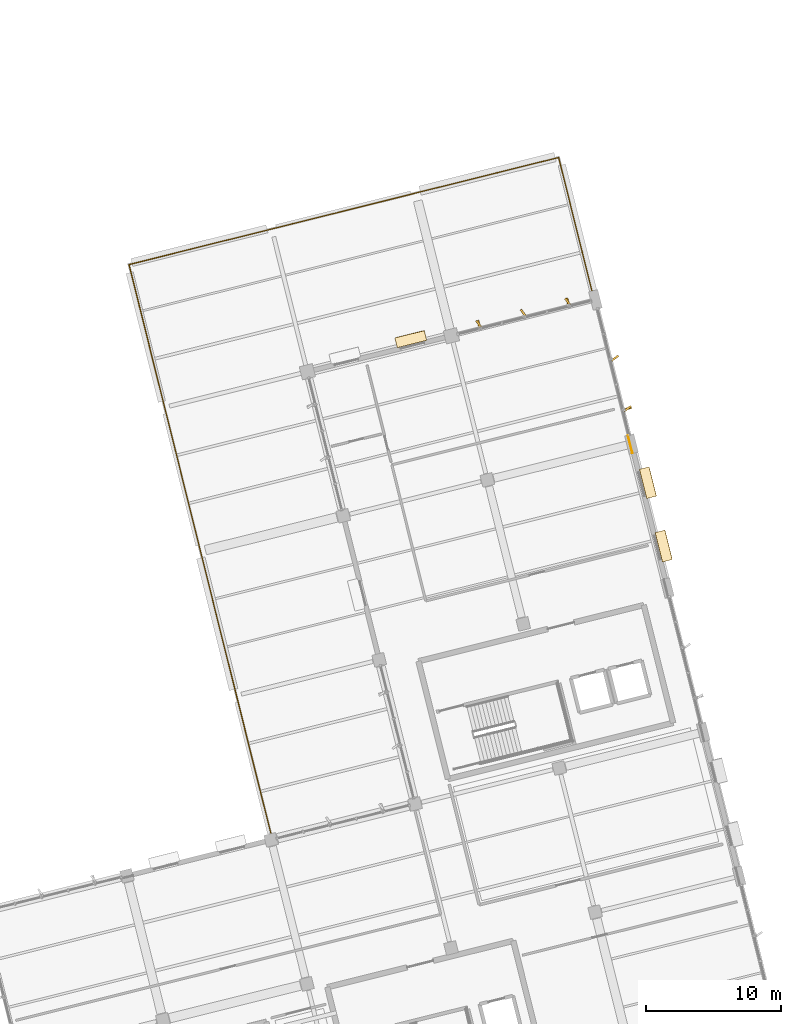
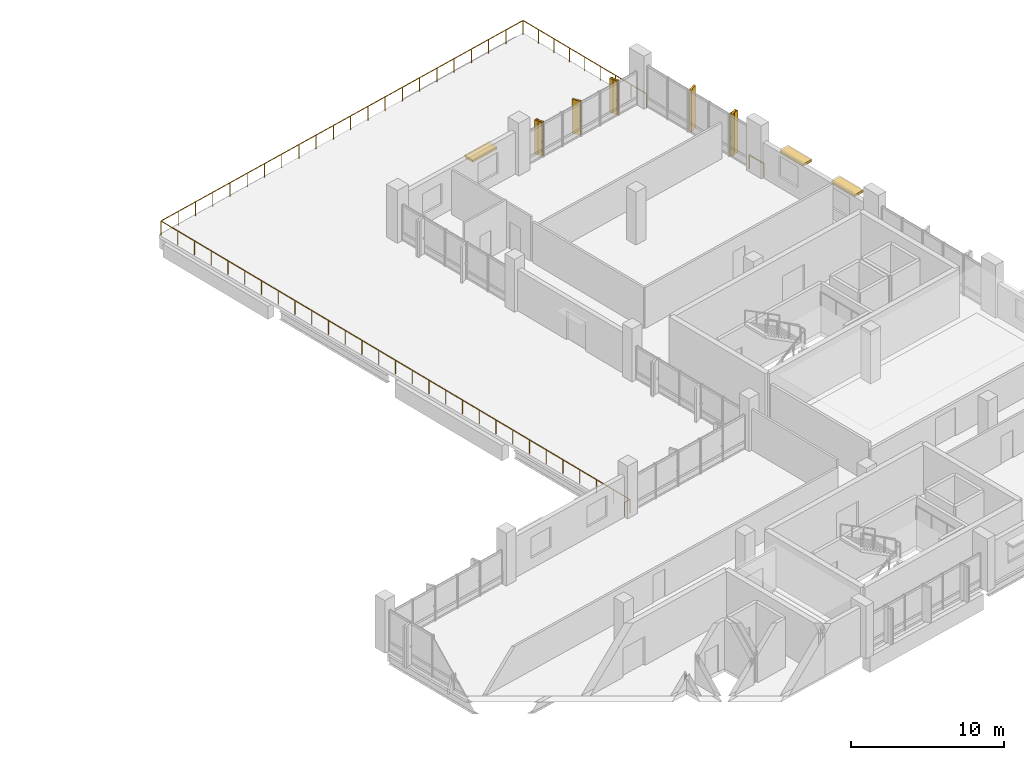
# One storey, part 42 of 42: 8 shading devices, 6 coverings, 2 railings.
"""IFC4 building model written with IfcOpenShell, lengths in metres."""

import ifcopenshell
import ifcopenshell.guid

model = None  # the IFC model being written
_history = None  # IfcOwnerHistory: only IFC2X3 demands one
_inside = {}  # id of a spatial element -> (the spatial element, [elements in it])
_under = {}  # id of a project, library or spatial element -> (it, [spatial elements below it])
_declared = {}  # id of a project -> (the project, [libraries it declares])
_typed = {}  # id of a type object -> (the type object, [elements of that type])
_made_of = {}  # id of a material, layer set ... -> (it, [elements and type objects made of it])


def new_model(schema):
    """Start an empty IFC model of exactly this schema.

    Asked for "IFC4X3", IfcOpenShell would pick the latest addendum, in which some entities
    have other attributes; the version numbers below select the first issue.
    IFC2X3 requires an IfcOwnerHistory on every rooted entity: one is made here for all.
    """
    global model, _history
    if schema == "IFC4X3":
        model = ifcopenshell.file(schema_version=(4, 3, 0, 0))
    else:
        model = ifcopenshell.file(schema=schema)
    _inside.clear()
    _under.clear()
    _declared.clear()
    _typed.clear()
    _made_of.clear()
    _history = None
    if model.schema == "IFC2X3":
        org = make("IfcOrganization", Name="unknown")
        user = make(
            "IfcPersonAndOrganization",
            ThePerson=make("IfcPerson", FamilyName="unknown"),
            TheOrganization=org,
        )
        app = make(
            "IfcApplication",
            ApplicationDeveloper=org,
            Version="unknown",
            ApplicationFullName="unknown",
            ApplicationIdentifier="unknown",
        )
        _history = make(
            "IfcOwnerHistory",
            OwningUser=user,
            OwningApplication=app,
            ChangeAction="ADDED",
            CreationDate=0,
        )
    return model


def make(cls, **values):
    """One entity of the class cls with the attributes given. An attribute that is None is left unset."""
    return model.create_entity(
        cls, **{name: value for name, value in values.items() if value is not None}
    )


def rooted(cls, **values):
    """An entity with a GlobalId (a new one), such as an element, a storey or a relation."""
    return make(cls, GlobalId=ifcopenshell.guid.new(), OwnerHistory=_history, **values)


def si_unit(unit_type, name, prefix=None):
    """IfcSIUnit, for example si_unit("LENGTHUNIT", "METRE", prefix="MILLI")."""
    return make("IfcSIUnit", UnitType=unit_type, Prefix=prefix, Name=name)


def assignment(units):
    """IfcUnitAssignment: the units of a project."""
    return None if units is None else make("IfcUnitAssignment", Units=units)


def point(xyz):
    """IfcCartesianPoint."""
    return None if xyz is None else make("IfcCartesianPoint", Coordinates=xyz)


def direction(xyz):
    """IfcDirection."""
    return None if xyz is None else make("IfcDirection", DirectionRatios=xyz)


def frame(location, z_axis=None, x_axis=None):
    """IfcAxis2Placement3D, a coordinate frame: its origin and axes. An axis left out is left unset."""
    return make(
        "IfcAxis2Placement3D",
        Location=point(location),
        Axis=direction(z_axis),
        RefDirection=direction(x_axis),
    )


def frame_2d(location, x_axis=None):
    """IfcAxis2Placement2D, a coordinate frame in the plane: its origin and x axis."""
    return make(
        "IfcAxis2Placement2D", Location=point(location), RefDirection=direction(x_axis)
    )


def origin():
    """The frame at (0, 0, 0) with its axes left unset."""
    return frame((0.0, 0.0, 0.0))


def origin_2d():
    """The frame at (0, 0) in the plane with its x axis left unset."""
    return frame_2d((0.0, 0.0))


def place(relative_to, where):
    """IfcLocalPlacement: puts the frame where relative to a parent placement (None: the world)."""
    return make(
        "IfcLocalPlacement", PlacementRelTo=relative_to, RelativePlacement=where
    )


def context(
    kind, dimensions, precision=None, world=None, true_north=None, identifier=None
):
    """IfcGeometricRepresentationContext, for example the 3D "Model" context."""
    return make(
        "IfcGeometricRepresentationContext",
        ContextIdentifier=identifier,
        ContextType=kind,
        CoordinateSpaceDimension=dimensions,
        Precision=precision,
        WorldCoordinateSystem=world,
        TrueNorth=true_north,
    )


def subcontext(parent, identifier, kind, view, scale=None):
    """IfcGeometricRepresentationSubContext, for example "Body" below "Model"."""
    return make(
        "IfcGeometricRepresentationSubContext",
        ContextIdentifier=identifier,
        ContextType=kind,
        ParentContext=parent,
        TargetScale=scale,
        TargetView=view,
    )


def project(units=None, contexts=None):
    """IfcProject with its units and contexts."""
    return rooted(
        "IfcProject",
        Name="project",
        RepresentationContexts=contexts,
        UnitsInContext=assignment(units),
    )


def spatial(cls, under=None, at=None, **own):
    """A site, building, storey or space (cls), placed at a placement, below another one or the project."""
    s = rooted(cls, ObjectPlacement=at, **own)
    if under is not None:
        _under.setdefault(under.id(), (under, []))[1].append(s)
    return s


def profile(cls, at=None, kind="AREA", **sizes):
    """A parametric profile (cls). Its sizes go by their IFC names, for example OverallWidth=200.0."""
    return make(cls, ProfileType=kind, Position=at, **sizes)


def rectangle(**sizes):
    """IfcRectangleProfileDef."""
    return profile("IfcRectangleProfileDef", **sizes)


def extrude(swept, where, along, depth):
    """IfcExtrudedAreaSolid: the profile swept, set in the frame where, extruded along a direction by depth."""
    return make(
        "IfcExtrudedAreaSolid",
        SweptArea=swept,
        Position=where,
        ExtrudedDirection=direction(along),
        Depth=depth,
    )


def shape(context_of_items, identifier, shape_type, items):
    """IfcShapeRepresentation: the items that make up one representation, for example the "Body"."""
    return make(
        "IfcShapeRepresentation",
        ContextOfItems=context_of_items,
        RepresentationIdentifier=identifier,
        RepresentationType=shape_type,
        Items=items,
    )


def material(Name=None, Category=None):
    """IfcMaterial."""
    return make("IfcMaterial", Name=Name, Category=Category)


def layer(
    of_material, thickness, ventilated=None, Name=None, Category=None, Priority=None
):
    """IfcMaterialLayer: one layer of a wall or slab, of a material (None: an air gap)."""
    return make(
        "IfcMaterialLayer",
        Material=of_material,
        LayerThickness=thickness,
        IsVentilated=ventilated,
        Name=Name,
        Category=Category,
        Priority=Priority,
    )


def layer_set(layers, Name=None):
    """IfcMaterialLayerSet."""
    return make("IfcMaterialLayerSet", MaterialLayers=layers, LayerSetName=Name)


def made_of(thing, what):
    """Note that an element or type object is made of a material, layer set ...; save() writes the relation."""
    if what is not None:
        _made_of.setdefault(what.id(), (what, []))[1].append(thing)
    return thing


def type_object(cls, material=None, **own):
    """A type object (cls), such as IfcWallType, which elements share."""
    return made_of(rooted(cls, **own), material)


def element(
    cls,
    number,
    at=None,
    inside=None,
    cuts=None,
    type_object=None,
    material=None,
    context=None,
    identifier="Body",
    shape_type=None,
    held_by="IfcProductDefinitionShape",
    body=None,
    shapes=None,
    **own,
):
    """One element of the class cls, such as IfcWall. Its Tag is "e" and its number.

    at: its placement. inside: the storey or other place that contains it. cuts: it is an
    opening in that element (IfcRelVoidsElement). A single representation is given by context,
    identifier, shape_type and body (its items); several are given by shapes. held_by: the class
    of the entity that holds the representations. save() writes the other relations.
    """
    e = rooted(cls, Tag="e%d" % number, ObjectPlacement=at, **own)
    if body is not None:
        shapes = [shape(context, identifier, shape_type, body)]
    if shapes is not None:
        e.Representation = make(held_by, Representations=shapes)
    if inside is not None:
        _inside.setdefault(inside.id(), (inside, []))[1].append(e)
    if cuts is not None:
        rooted(
            "IfcRelVoidsElement", RelatingBuildingElement=cuts, RelatedOpeningElement=e
        )
    if type_object is not None:
        _typed.setdefault(type_object.id(), (type_object, []))[1].append(e)
    return made_of(e, material)


def aggregate(whole, parts):
    """IfcRelAggregates: a whole, such as a stair, and the parts it consists of."""
    return rooted("IfcRelAggregates", RelatingObject=whole, RelatedObjects=parts)


def save(model, path):
    """Write the relations noted so far, then the file.

    IfcRelAggregates (storeys below a building ...), IfcRelContainedInSpatialStructure (elements
    in a storey), IfcRelDefinesByType, IfcRelAssociatesMaterial and IfcRelDeclares: one each for
    every whole, place, type object, material and project.
    """
    for whole, parts in _under.values():
        aggregate(whole, parts)
    for where, things in _inside.values():
        rooted(
            "IfcRelContainedInSpatialStructure",
            RelatedElements=things,
            RelatingStructure=where,
        )
    for kind, things in _typed.values():
        rooted("IfcRelDefinesByType", RelatedObjects=things, RelatingType=kind)
    for what, things in _made_of.values():
        rooted("IfcRelAssociatesMaterial", RelatedObjects=things, RelatingMaterial=what)
    for by, libraries in _declared.values():
        rooted("IfcRelDeclares", RelatingContext=by, RelatedDefinitions=libraries)
    model.write(path)


model = new_model("IFC4")

# Units and contexts
model_context = context("Model", 3, precision=1e-05, world=origin(), true_north=direction((0.0, 1.0)))
body_context = subcontext(model_context, "Body", "Model", "MODEL_VIEW")
ifc_project = project(units=[si_unit("LENGTHUNIT", "METRE"), si_unit("AREAUNIT", "SQUARE_METRE"), si_unit("VOLUMEUNIT", "CUBIC_METRE"), si_unit("PLANEANGLEUNIT", "RADIAN"), si_unit("MASSUNIT", "GRAM", prefix="KILO")], contexts=[model_context])

# Site, building, storey
site_placement = place(None, origin())
site = spatial("IfcSite", under=ifc_project, at=site_placement, CompositionType="ELEMENT")
building_placement = place(site_placement, origin())
building = spatial("IfcBuilding", under=site, at=building_placement, Name="Khorjan Park Terminus", CompositionType="ELEMENT")
storey_placement = place(building_placement, frame((0.0, 0.0, 20.4)))
storey = spatial("IfcBuildingStorey", under=building, at=storey_placement, Name="L04", CompositionType="ELEMENT", Elevation=20.4)

# Coverings
ifc_material_1 = material(Name="Pigmented Precast GRC", Category="concrete")
ifc_layer_1 = layer(ifc_material_1, 0.16)
ifc_layer_set_1 = layer_set([ifc_layer_1], Name="Pigmented Precast GRC")
covering_type_1 = type_object("IfcCoveringType", Name="CV-FIN-GRC", PredefinedType="CLADDING", material=ifc_layer_set_1)
covering_placement = place(storey_placement, frame((219.1086, 63.2764, -0.02), z_axis=(0.0, 0.0, 1.0), x_axis=(-0.970295726276, -0.2419218956, 0.0)))
element("IfcCovering", 1, at=covering_placement, inside=storey, type_object=covering_type_1, Name="Projecting desert-sandstone GRC facade fin CL-FN1 (CW-V5-E-L04-B05-1)", PredefinedType="CLADDING", context=body_context, shape_type="SweptSolid", body=[
    extrude(rectangle(XDim=0.58, YDim=0.16, at=origin_2d()), origin(), (0.0, 0.0, 1.0), 3.355),
])
for number, where, z_axis, x_axis, name in (
    (2, (214.6801, 71.1869, -0.02), (0.0, 0.0, 1.0), (0.2419218956, -0.970295726276, 0.0), "Projecting desert-sandstone GRC facade fin CL-FN1 (CW-V5-N-L04-B01-1)"),
    (3, (208.0887, 69.5435, -0.02), (0.0, 0.0, 1.0), (0.2419218956, -0.970295726276, 0.0), "Projecting desert-sandstone GRC facade fin CL-FN1 (CW-V5-N-L04-B01-5)"),
):
    element("IfcCovering", number, at=place(storey_placement, frame(where, z_axis=z_axis, x_axis=x_axis)), inside=storey, type_object=covering_type_1, Name=name, PredefinedType="CLADDING", context=body_context, shape_type="SweptSolid", body=[
        extrude(rectangle(XDim=0.58, YDim=0.16, at=origin_2d()), origin(), (0.0, 0.0, 1.0), 2.705),
    ])
ifc_layer_2 = layer(ifc_material_1, 0.18)
ifc_layer_set_2 = layer_set([ifc_layer_2], Name="Pigmented Precast GRC")
covering_type_2 = type_object("IfcCoveringType", Name="CV-HOOD-GRC", PredefinedType="CLADDING", material=ifc_layer_set_2)
for number, where, z_axis, x_axis, name in (
    (4, (221.7858, 53.0963, 2.58), (0.0, 0.0, 1.0), (-0.241910213292, 0.970298638928, 0.0), "Projecting desert-sandstone GRC window eyebrow CL-HD1 (EW-V5-E-L04-B04-1)"),
    (5, (220.6161, 57.7876, 2.58), (0.0, 0.0, 1.0), (-0.241910213292, 0.970298638928, 0.0), "Projecting desert-sandstone GRC window eyebrow CL-HD1 (EW-V5-E-L04-B04-2)"),
    (6, (203.0483, 68.4259, 2.58), (0.0, 0.0, 1.0), (-0.970293595336, -0.241930442171, 0.0), "Projecting desert-sandstone GRC window eyebrow CL-HD1 (EW-V5-N-L04-B02-1)"),
):
    element("IfcCovering", number, at=place(storey_placement, frame(where, z_axis=z_axis, x_axis=x_axis)), inside=storey, type_object=covering_type_2, Name=name, PredefinedType="CLADDING", context=body_context, shape_type="SweptSolid", body=[
        extrude(rectangle(XDim=2.24, YDim=0.74, at=origin_2d()), origin(), (0.0, 0.0, 1.0), 0.16),
    ])

# Railings
ifc_material_2 = material(Name="Steel S355", Category="steel")
railing_type_1 = type_object("IfcRailingType", Name="GR-112", PredefinedType="GUARDRAIL", material=ifc_material_2)
railing_1_placement = place(storey_placement, frame((219.1334, 61.2956, 0.0)))
element("IfcRailing", 7, at=railing_1_placement, inside=storey, type_object=railing_type_1, Name="Perimeter safety guard GR-112 (L04-100)", PredefinedType="GUARDRAIL", context=body_context, shape_type="SweptSolid", body=[
    extrude(rectangle(XDim=0.048, YDim=0.048, at=origin_2d()), frame((0.0, 0.0, 1.096), z_axis=(0.241923311945, -0.97029537314, 0.0), x_axis=(0.97029537314, 0.241923311945, 0.0)), (0.0, 0.0, 1.0), 1.3451),
    extrude(rectangle(XDim=0.042, YDim=0.042, at=origin_2d()), origin(), (0.0, 0.0, 1.0), 1.072),
    extrude(rectangle(XDim=0.042, YDim=0.042, at=origin_2d()), frame((0.3254, -1.3051, 0.0)), (0.0, 0.0, 1.0), 1.072),
])
ifc_material_3 = material(Name="Anodized Bronze Aluminium & Laminated Glass", Category="aluminium")
railing_type_2 = type_object("IfcRailingType", Name="GR-BAL", PredefinedType="BALUSTRADE", material=ifc_material_3)
railing_2_placement = place(storey_placement, frame((192.3186, 31.1324, 0.0)))
element("IfcRailing", 8, at=railing_2_placement, inside=storey, type_object=railing_type_2, Name="Perimeter safety guard GB-112 (L04-96)", PredefinedType="BALUSTRADE", context=body_context, shape_type="SweptSolid", body=[
    extrude(rectangle(XDim=0.048, YDim=0.048, at=origin_2d()), frame((0.0, 0.0, 1.096), z_axis=(0.970290686347, 0.241942108753, 0.0), x_axis=(-0.241942108753, 0.970290686347, 0.0)), (0.0, 0.0, 1.0), 0.5154),
    extrude(rectangle(XDim=0.048, YDim=0.048, at=origin_2d()), frame((0.5001, 0.1247, 1.096), z_axis=(-0.241922742383, 0.970295515149, 0.0), x_axis=(-0.970295515149, -0.241922742383, 0.0)), (0.0, 0.0, 1.0), 44.0),
    extrude(rectangle(XDim=0.048, YDim=0.048, at=origin_2d()), frame((-10.1445, 42.8177, 1.096), z_axis=(0.970295462577, 0.241922953236, 0.0), x_axis=(-0.241922953236, 0.970295462577, 0.0)), (0.0, 0.0, 1.0), 32.8001),
    extrude(rectangle(XDim=0.048, YDim=0.048, at=origin_2d()), frame((21.6813, 50.7528, 1.096), z_axis=(0.24191382199, -0.970297739217, 0.0), x_axis=(0.970297739217, 0.24191382199, 0.0)), (0.0, 0.0, 1.0), 11.5802),
    extrude(rectangle(XDim=0.042, YDim=0.042, at=origin_2d()), origin(), (0.0, 0.0, 1.0), 1.072),
    extrude(rectangle(XDim=0.042, YDim=0.042, at=origin_2d()), frame((0.5001, 0.1247, 0.0)), (0.0, 0.0, 1.0), 1.072),
    extrude(rectangle(XDim=0.042, YDim=0.042, at=origin_2d()), frame((0.1199, 1.6495, 0.0)), (0.0, 0.0, 1.0), 1.072),
    extrude(rectangle(XDim=0.042, YDim=0.042, at=origin_2d()), frame((-0.2602, 3.1742, 0.0)), (0.0, 0.0, 1.0), 1.072),
    extrude(rectangle(XDim=0.042, YDim=0.042, at=origin_2d()), frame((-0.6404, 4.6989, 0.0)), (0.0, 0.0, 1.0), 1.072),
    extrude(rectangle(XDim=0.042, YDim=0.042, at=origin_2d()), frame((-1.0206, 6.2237, 0.0)), (0.0, 0.0, 1.0), 1.072),
    extrude(rectangle(XDim=0.042, YDim=0.042, at=origin_2d()), frame((-1.4007, 7.7485, 0.0)), (0.0, 0.0, 1.0), 1.072),
    extrude(rectangle(XDim=0.042, YDim=0.042, at=origin_2d()), frame((-1.7809, 9.2732, 0.0)), (0.0, 0.0, 1.0), 1.072),
    extrude(rectangle(XDim=0.042, YDim=0.042, at=origin_2d()), frame((-2.161, 10.798, 0.0)), (0.0, 0.0, 1.0), 1.072),
    extrude(rectangle(XDim=0.042, YDim=0.042, at=origin_2d()), frame((-2.5412, 12.3227, 0.0)), (0.0, 0.0, 1.0), 1.072),
    extrude(rectangle(XDim=0.042, YDim=0.042, at=origin_2d()), frame((-2.9214, 13.8475, 0.0)), (0.0, 0.0, 1.0), 1.072),
    extrude(rectangle(XDim=0.042, YDim=0.042, at=origin_2d()), frame((-3.3015, 15.3722, 0.0)), (0.0, 0.0, 1.0), 1.072),
    extrude(rectangle(XDim=0.042, YDim=0.042, at=origin_2d()), frame((-3.6817, 16.897, 0.0)), (0.0, 0.0, 1.0), 1.072),
    extrude(rectangle(XDim=0.042, YDim=0.042, at=origin_2d()), frame((-4.0619, 18.4217, 0.0)), (0.0, 0.0, 1.0), 1.072),
    extrude(rectangle(XDim=0.042, YDim=0.042, at=origin_2d()), frame((-4.442, 19.9464, 0.0)), (0.0, 0.0, 1.0), 1.072),
    extrude(rectangle(XDim=0.042, YDim=0.042, at=origin_2d()), frame((-4.8222, 21.4712, 0.0)), (0.0, 0.0, 1.0), 1.072),
    extrude(rectangle(XDim=0.042, YDim=0.042, at=origin_2d()), frame((-5.2024, 22.996, 0.0)), (0.0, 0.0, 1.0), 1.072),
    extrude(rectangle(XDim=0.042, YDim=0.042, at=origin_2d()), frame((-5.5825, 24.5207, 0.0)), (0.0, 0.0, 1.0), 1.072),
    extrude(rectangle(XDim=0.042, YDim=0.042, at=origin_2d()), frame((-5.9627, 26.0454, 0.0)), (0.0, 0.0, 1.0), 1.072),
    extrude(rectangle(XDim=0.042, YDim=0.042, at=origin_2d()), frame((-6.3429, 27.5702, 0.0)), (0.0, 0.0, 1.0), 1.072),
    extrude(rectangle(XDim=0.042, YDim=0.042, at=origin_2d()), frame((-6.723, 29.095, 0.0)), (0.0, 0.0, 1.0), 1.072),
    extrude(rectangle(XDim=0.042, YDim=0.042, at=origin_2d()), frame((-7.1032, 30.6197, 0.0)), (0.0, 0.0, 1.0), 1.072),
    extrude(rectangle(XDim=0.042, YDim=0.042, at=origin_2d()), frame((-7.4833, 32.1445, 0.0)), (0.0, 0.0, 1.0), 1.072),
    extrude(rectangle(XDim=0.042, YDim=0.042, at=origin_2d()), frame((-7.8635, 33.6692, 0.0)), (0.0, 0.0, 1.0), 1.072),
    extrude(rectangle(XDim=0.042, YDim=0.042, at=origin_2d()), frame((-8.2437, 35.194, 0.0)), (0.0, 0.0, 1.0), 1.072),
    extrude(rectangle(XDim=0.042, YDim=0.042, at=origin_2d()), frame((-8.6238, 36.7187, 0.0)), (0.0, 0.0, 1.0), 1.072),
    extrude(rectangle(XDim=0.042, YDim=0.042, at=origin_2d()), frame((-9.004, 38.2434, 0.0)), (0.0, 0.0, 1.0), 1.072),
    extrude(rectangle(XDim=0.042, YDim=0.042, at=origin_2d()), frame((-9.3842, 39.7682, 0.0)), (0.0, 0.0, 1.0), 1.072),
    extrude(rectangle(XDim=0.042, YDim=0.042, at=origin_2d()), frame((-9.7643, 41.293, 0.0)), (0.0, 0.0, 1.0), 1.072),
    extrude(rectangle(XDim=0.042, YDim=0.042, at=origin_2d()), frame((-10.1445, 42.8177, 0.0)), (0.0, 0.0, 1.0), 1.072),
    extrude(rectangle(XDim=0.042, YDim=0.042, at=origin_2d()), frame((-8.629, 43.1956, 0.0)), (0.0, 0.0, 1.0), 1.072),
    extrude(rectangle(XDim=0.042, YDim=0.042, at=origin_2d()), frame((-7.1135, 43.5734, 0.0)), (0.0, 0.0, 1.0), 1.072),
    extrude(rectangle(XDim=0.042, YDim=0.042, at=origin_2d()), frame((-5.598, 43.9513, 0.0)), (0.0, 0.0, 1.0), 1.072),
    extrude(rectangle(XDim=0.042, YDim=0.042, at=origin_2d()), frame((-4.0824, 44.3291, 0.0)), (0.0, 0.0, 1.0), 1.072),
    extrude(rectangle(XDim=0.042, YDim=0.042, at=origin_2d()), frame((-2.5669, 44.707, 0.0)), (0.0, 0.0, 1.0), 1.072),
    extrude(rectangle(XDim=0.042, YDim=0.042, at=origin_2d()), frame((-1.0514, 45.0849, 0.0)), (0.0, 0.0, 1.0), 1.072),
    extrude(rectangle(XDim=0.042, YDim=0.042, at=origin_2d()), frame((0.4641, 45.4627, 0.0)), (0.0, 0.0, 1.0), 1.072),
    extrude(rectangle(XDim=0.042, YDim=0.042, at=origin_2d()), frame((1.9796, 45.8406, 0.0)), (0.0, 0.0, 1.0), 1.072),
    extrude(rectangle(XDim=0.042, YDim=0.042, at=origin_2d()), frame((3.4951, 46.2185, 0.0)), (0.0, 0.0, 1.0), 1.072),
    extrude(rectangle(XDim=0.042, YDim=0.042, at=origin_2d()), frame((5.0106, 46.5963, 0.0)), (0.0, 0.0, 1.0), 1.072),
    extrude(rectangle(XDim=0.042, YDim=0.042, at=origin_2d()), frame((6.5262, 46.9742, 0.0)), (0.0, 0.0, 1.0), 1.072),
    extrude(rectangle(XDim=0.042, YDim=0.042, at=origin_2d()), frame((8.0417, 47.352, 0.0)), (0.0, 0.0, 1.0), 1.072),
    extrude(rectangle(XDim=0.042, YDim=0.042, at=origin_2d()), frame((9.5572, 47.7299, 0.0)), (0.0, 0.0, 1.0), 1.072),
    extrude(rectangle(XDim=0.042, YDim=0.042, at=origin_2d()), frame((11.0727, 48.1078, 0.0)), (0.0, 0.0, 1.0), 1.072),
    extrude(rectangle(XDim=0.042, YDim=0.042, at=origin_2d()), frame((12.5882, 48.4856, 0.0)), (0.0, 0.0, 1.0), 1.072),
    extrude(rectangle(XDim=0.042, YDim=0.042, at=origin_2d()), frame((14.1037, 48.8635, 0.0)), (0.0, 0.0, 1.0), 1.072),
    extrude(rectangle(XDim=0.042, YDim=0.042, at=origin_2d()), frame((15.6192, 49.2414, 0.0)), (0.0, 0.0, 1.0), 1.072),
    extrude(rectangle(XDim=0.042, YDim=0.042, at=origin_2d()), frame((17.1348, 49.6192, 0.0)), (0.0, 0.0, 1.0), 1.072),
    extrude(rectangle(XDim=0.042, YDim=0.042, at=origin_2d()), frame((18.6503, 49.9971, 0.0)), (0.0, 0.0, 1.0), 1.072),
    extrude(rectangle(XDim=0.042, YDim=0.042, at=origin_2d()), frame((20.1658, 50.3749, 0.0)), (0.0, 0.0, 1.0), 1.072),
    extrude(rectangle(XDim=0.042, YDim=0.042, at=origin_2d()), frame((21.6813, 50.7528, 0.0)), (0.0, 0.0, 1.0), 1.072),
    extrude(rectangle(XDim=0.042, YDim=0.042, at=origin_2d()), frame((22.0315, 49.3483, 0.0)), (0.0, 0.0, 1.0), 1.072),
    extrude(rectangle(XDim=0.042, YDim=0.042, at=origin_2d()), frame((22.3816, 47.9437, 0.0)), (0.0, 0.0, 1.0), 1.072),
    extrude(rectangle(XDim=0.042, YDim=0.042, at=origin_2d()), frame((22.7318, 46.5392, 0.0)), (0.0, 0.0, 1.0), 1.072),
    extrude(rectangle(XDim=0.042, YDim=0.042, at=origin_2d()), frame((23.082, 45.1347, 0.0)), (0.0, 0.0, 1.0), 1.072),
    extrude(rectangle(XDim=0.042, YDim=0.042, at=origin_2d()), frame((23.4322, 43.7302, 0.0)), (0.0, 0.0, 1.0), 1.072),
    extrude(rectangle(XDim=0.042, YDim=0.042, at=origin_2d()), frame((23.7823, 42.3256, 0.0)), (0.0, 0.0, 1.0), 1.072),
    extrude(rectangle(XDim=0.042, YDim=0.042, at=origin_2d()), frame((24.1325, 40.9211, 0.0)), (0.0, 0.0, 1.0), 1.072),
    extrude(rectangle(XDim=0.042, YDim=0.042, at=origin_2d()), frame((24.4827, 39.5166, 0.0)), (0.0, 0.0, 1.0), 1.072),
])

# Shading devices
ifc_material_4 = material(Name="Anodized Bronze Aluminium", Category="aluminium")
shading_device_type_1 = type_object("IfcShadingDeviceType", Name="SD-FIN-620", PredefinedType="JALOUSIE", material=ifc_material_4)
for number, where, z_axis, x_axis, name in (
    (9, (219.1086, 63.2764, -0.02), (0.0, 0.0, 1.0), (-0.809016994375, -0.587785252292, 0.0), "Angled solar brise-soleil fin SF-62 (CW-V5-E-L04-B05-1)"),
    (10, (218.1757, 67.0177, -0.02), (0.0, 0.0, 1.0), (-0.809016994375, -0.587785252292, 0.0), "Angled solar brise-soleil fin SF-62 (CW-V5-E-L04-B05-3)"),
):
    element("IfcShadingDevice", number, at=place(storey_placement, frame(where, z_axis=z_axis, x_axis=x_axis)), inside=storey, type_object=shading_device_type_1, Name=name, PredefinedType="JALOUSIE", context=body_context, shape_type="SweptSolid", body=[
        extrude(rectangle(XDim=0.62, YDim=0.14, at=origin_2d()), origin(), (0.0, 0.0, 1.0), 3.355),
    ])
for number, where, z_axis, x_axis, name in (
    (11, (214.6801, 71.1869, -0.02), (0.0, 0.0, 1.0), (0.587785252292, -0.809016994375, 0.0), "Angled solar brise-soleil fin SF-62 (CW-V5-N-L04-B01-1)"),
    (12, (211.3844, 70.3652, -0.02), (0.0, 0.0, 1.0), (0.587785252292, -0.809016994375, 0.0), "Angled solar brise-soleil fin SF-62 (CW-V5-N-L04-B01-3)"),
    (13, (208.0887, 69.5435, -0.02), (0.0, 0.0, 1.0), (0.587785252292, -0.809016994375, 0.0), "Angled solar brise-soleil fin SF-62 (CW-V5-N-L04-B01-5)"),
):
    element("IfcShadingDevice", number, at=place(storey_placement, frame(where, z_axis=z_axis, x_axis=x_axis)), inside=storey, type_object=shading_device_type_1, Name=name, PredefinedType="JALOUSIE", context=body_context, shape_type="SweptSolid", body=[
        extrude(rectangle(XDim=0.62, YDim=0.14, at=origin_2d()), origin(), (0.0, 0.0, 1.0), 2.705),
    ])
shading_device_type_2 = type_object("IfcShadingDeviceType", Name="SD-SUN-750", PredefinedType="SHUTTER", material=ifc_material_4)
for number, where, z_axis, x_axis, name in (
    (14, (221.7858, 53.0963, 2.51), (0.0, 0.0, 1.0), (-0.241910213292, 0.970298638928, 0.0), "Projecting solar overhang hood SH-75 (EW-V5-E-L04-B04-1)"),
    (15, (220.6161, 57.7876, 2.51), (0.0, 0.0, 1.0), (-0.241910213292, 0.970298638928, 0.0), "Projecting solar overhang hood SH-75 (EW-V5-E-L04-B04-2)"),
    (16, (203.0483, 68.4259, 2.51), (0.0, 0.0, 1.0), (-0.970293595336, -0.241930442171, 0.0), "Projecting solar overhang hood SH-75 (EW-V5-N-L04-B02-1)"),
):
    element("IfcShadingDevice", number, at=place(storey_placement, frame(where, z_axis=z_axis, x_axis=x_axis)), inside=storey, type_object=shading_device_type_2, Name=name, PredefinedType="SHUTTER", context=body_context, shape_type="SweptSolid", body=[
        extrude(rectangle(XDim=2.16, YDim=0.76, at=origin_2d()), origin(), (0.0, 0.0, 1.0), 0.14),
    ])

save(model, "model.ifc")
